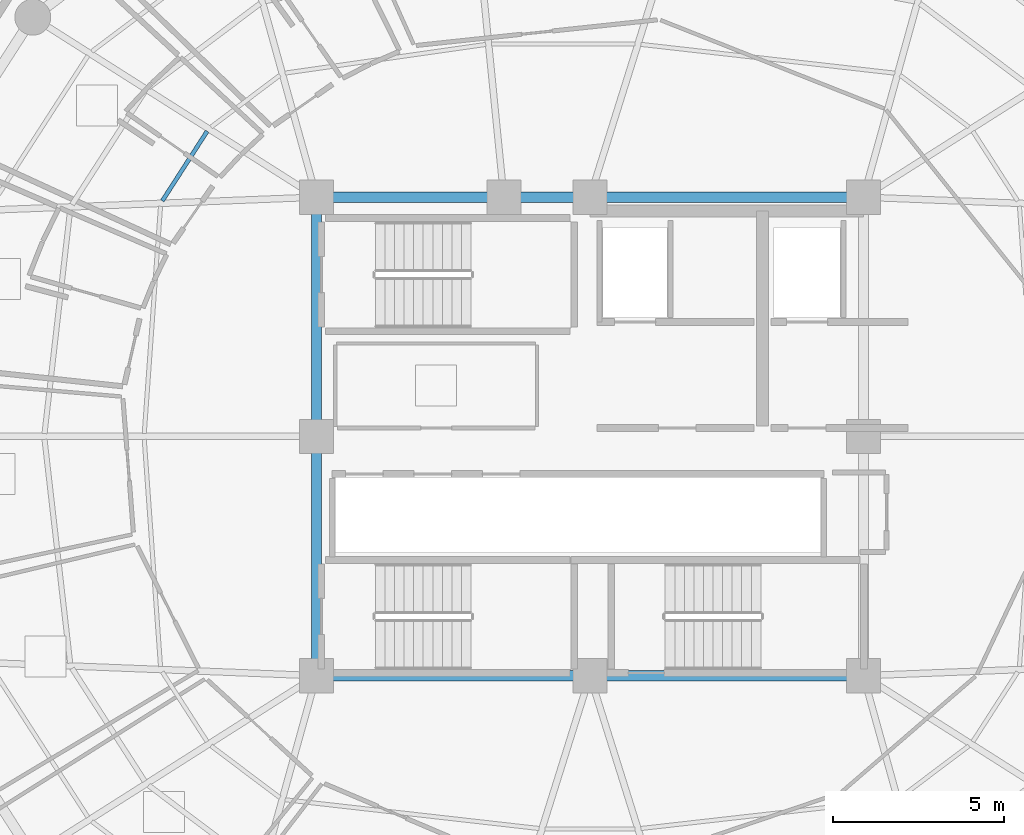
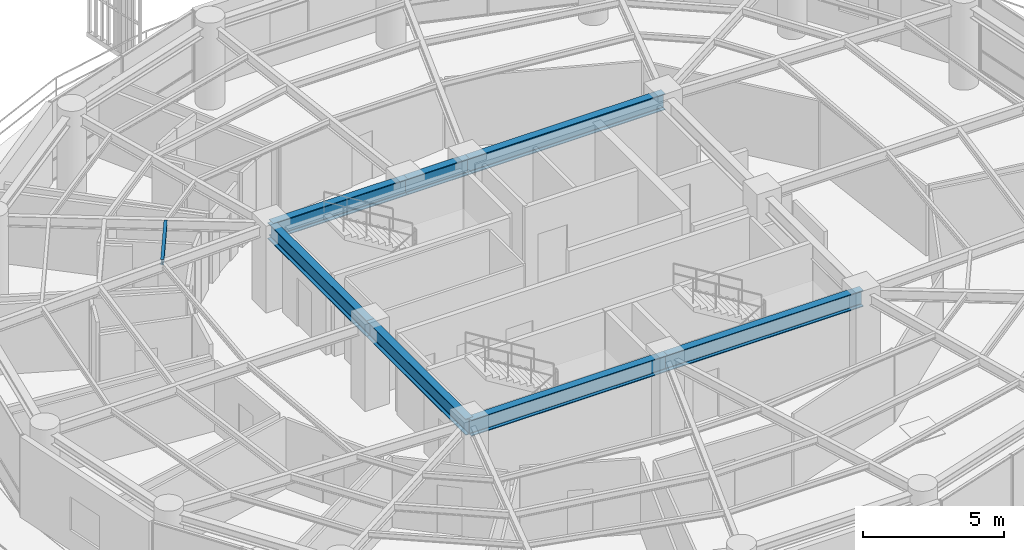
# One storey, part 9 of 31: 8 beams.
"""IFC4 building model written with IfcOpenShell, lengths in metres."""

from ifc_helpers import new_model, si_unit, direction, frame, origin, origin_2d, place, context, subcontext, project, spatial, i_section, extrude, material, material_profile, profile_set, type_object, element, save


model = new_model("IFC4")

# Units and contexts
model_context = context("Model", 3, precision=1e-05, world=origin(), true_north=direction((0.0, 1.0)))
body_context = subcontext(model_context, "Body", "Model", "MODEL_VIEW")
ifc_project = project(units=[si_unit("LENGTHUNIT", "METRE"), si_unit("AREAUNIT", "SQUARE_METRE"), si_unit("VOLUMEUNIT", "CUBIC_METRE"), si_unit("PLANEANGLEUNIT", "RADIAN"), si_unit("MASSUNIT", "GRAM", prefix="KILO")], contexts=[model_context])

# Site, building, storey
site_placement = place(None, origin())
site = spatial("IfcSite", under=ifc_project, at=site_placement, CompositionType="ELEMENT")
building_placement = place(site_placement, origin())
building = spatial("IfcBuilding", under=site, at=building_placement, Name="Kelanora Arch Commons", CompositionType="ELEMENT")
storey_placement = place(building_placement, frame((0.0, 0.0, 223.199951171875)))
storey = spatial("IfcBuildingStorey", under=building, at=storey_placement, Name="L57", CompositionType="ELEMENT", Elevation=223.199951171875)

# Beams
ifc_material = material(Name="Steel S355", Category="steel")
ifc_material_profile_1 = material_profile(ifc_material, i_section(OverallWidth=0.300048828125, OverallDepth=0.699951171875, WebThickness=0.01708984375, FlangeThickness=0.031982421875, FilletRadius=0.027099609375, at=origin_2d()), Name="HEB700")
ifc_profile_set_1 = profile_set([ifc_material_profile_1], Name="Steel S355")
beam_type_1 = type_object("IfcBeamType", Name="BM-CORE-HDR", PredefinedType="BEAM", material=ifc_profile_set_1)
for number, where, z_axis, x_axis, name in (
    (1, (66.0, 51.0, 3.14013671875), (1.0, 0.0, 0.0), (0.0, 1.0, 0.0), "Core Header Beam 01 L57"),
    (2, (74.0, 51.0, 3.14013671875), (1.0, 0.0, 0.0), (0.0, 1.0, 0.0), "Core Header Beam 02 L57"),
    (3, (82.0, 65.0, 3.14013671875), (-1.0, 0.0, 0.0), (0.0, -1.0, 0.0), "Core Header Beam 05 L57"),
):
    element("IfcBeam", number, at=place(storey_placement, frame(where, z_axis=z_axis, x_axis=x_axis)), inside=storey, type_object=beam_type_1, Name=name, PredefinedType="BEAM", context=body_context, shape_type="SweptSolid", body=[
        extrude(i_section(OverallWidth=0.300048828125, OverallDepth=0.699951171875, WebThickness=0.01708984375, FlangeThickness=0.031982421875, FilletRadius=0.027099609375, at=origin_2d()), origin(), (0.0, 0.0, 1.0), 8.0),
    ])
beam_1_placement = place(storey_placement, frame((74.0, 65.0, 3.14013671875), z_axis=(-1.0, 0.0, 0.0), x_axis=(0.0, -1.0, 0.0)))
element("IfcBeam", 4, at=beam_1_placement, inside=storey, type_object=beam_type_1, Name="Core Header Beam 06 L57", PredefinedType="BEAM", context=body_context, shape_type="SweptSolid", body=[
    extrude(i_section(OverallWidth=0.300048828125, OverallDepth=0.699951171875, WebThickness=0.01708984375, FlangeThickness=0.031982421875, FilletRadius=0.027099609375, at=origin_2d()), origin(), (0.0, 0.0, 1.0), 2.52001953125),
])
beam_2_placement = place(storey_placement, frame((71.47998046875, 65.0, 3.14013671875), z_axis=(-1.0, 0.0, 0.0), x_axis=(0.0, -1.0, 0.0)))
element("IfcBeam", 5, at=beam_2_placement, inside=storey, type_object=beam_type_1, Name="Core Header Beam 07 L57", PredefinedType="BEAM", context=body_context, shape_type="SweptSolid", body=[
    extrude(i_section(OverallWidth=0.300048828125, OverallDepth=0.699951171875, WebThickness=0.01708984375, FlangeThickness=0.031982421875, FilletRadius=0.027099609375, at=origin_2d()), origin(), (0.0, 0.0, 1.0), 5.47998046875),
])
for number, where, z_axis, x_axis, name in (
    (6, (66.0, 65.0, 3.14013671875), (0.0, -1.0, 0.0), (1.0, 0.0, 0.0), "Core Header Beam 08 L57"),
    (7, (66.0, 58.0, 3.14013671875), (0.0, -1.0, 0.0), (1.0, 0.0, 0.0), "Core Header Beam 09 L57"),
):
    element("IfcBeam", number, at=place(storey_placement, frame(where, z_axis=z_axis, x_axis=x_axis)), inside=storey, type_object=beam_type_1, Name=name, PredefinedType="BEAM", context=body_context, shape_type="SweptSolid", body=[
        extrude(i_section(OverallWidth=0.300048828125, OverallDepth=0.699951171875, WebThickness=0.01708984375, FlangeThickness=0.031982421875, FilletRadius=0.027099609375, at=origin_2d()), origin(), (0.0, 0.0, 1.0), 7.0),
    ])
ifc_material_profile_2 = material_profile(ifc_material, i_section(OverallWidth=0.1201171875, OverallDepth=0.239990234375, WebThickness=0.006103515625, FlangeThickness=0.009765625, FilletRadius=0.014892578125, at=origin_2d()), Name="IPE240")
ifc_profile_set_2 = profile_set([ifc_material_profile_2], Name="Steel S355")
beam_type_2 = type_object("IfcBeamType", Name="BM-JST-02", PredefinedType="JOIST", material=ifc_profile_set_2)
beam_3_placement = place(storey_placement, frame((62.79931640625, 66.928955078125, 3.3701171875), z_axis=(-0.541332763503, -0.840808443796, 0.0), x_axis=(0.840808443796, -0.541332763503, 0.0)))
element("IfcBeam", 8, at=beam_3_placement, inside=storey, type_object=beam_type_2, Name="Secondary Chord Joist BJA-14 L57", PredefinedType="JOIST", context=body_context, shape_type="SweptSolid", body=[
    extrude(i_section(OverallWidth=0.1201171875, OverallDepth=0.239990234375, WebThickness=0.006103515625, FlangeThickness=0.009765625, FilletRadius=0.014892578125, at=origin_2d()), origin(), (0.0, 0.0, 1.0), 2.423583984375),
])

save(model, "model.ifc")
